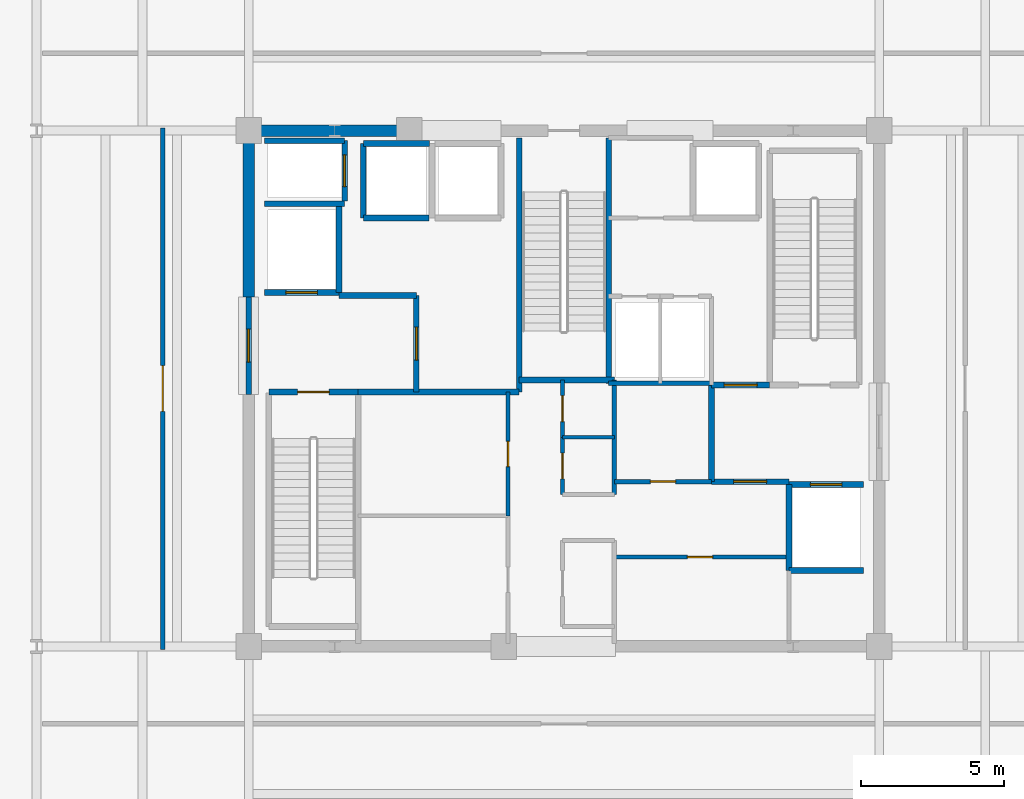
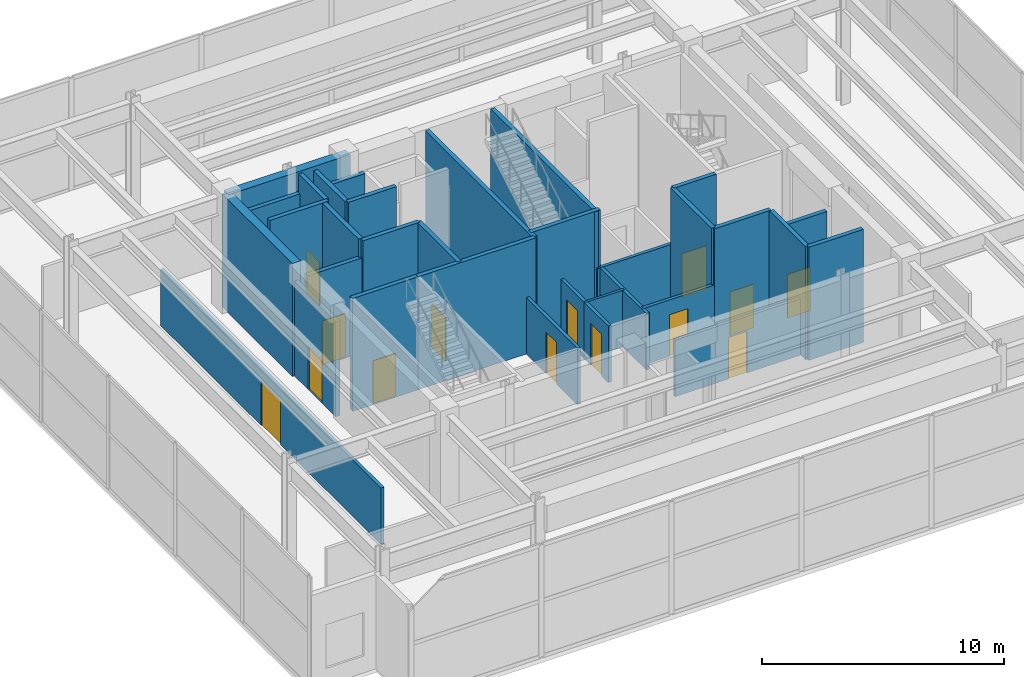
# One storey, part 18 of 21: 33 walls, 14 doors, 14 openings.
"""IFC4 building model written with IfcOpenShell, lengths in metres."""

import ifcopenshell
import ifcopenshell.guid

model = None  # the IFC model being written
_history = None  # IfcOwnerHistory: only IFC2X3 demands one
_inside = {}  # id of a spatial element -> (the spatial element, [elements in it])
_under = {}  # id of a project, library or spatial element -> (it, [spatial elements below it])
_declared = {}  # id of a project -> (the project, [libraries it declares])
_typed = {}  # id of a type object -> (the type object, [elements of that type])
_made_of = {}  # id of a material, layer set ... -> (it, [elements and type objects made of it])


def new_model(schema):
    """Start an empty IFC model of exactly this schema.

    Asked for "IFC4X3", IfcOpenShell would pick the latest addendum, in which some entities
    have other attributes; the version numbers below select the first issue.
    IFC2X3 requires an IfcOwnerHistory on every rooted entity: one is made here for all.
    """
    global model, _history
    if schema == "IFC4X3":
        model = ifcopenshell.file(schema_version=(4, 3, 0, 0))
    else:
        model = ifcopenshell.file(schema=schema)
    _inside.clear()
    _under.clear()
    _declared.clear()
    _typed.clear()
    _made_of.clear()
    _history = None
    if model.schema == "IFC2X3":
        org = make("IfcOrganization", Name="unknown")
        user = make(
            "IfcPersonAndOrganization",
            ThePerson=make("IfcPerson", FamilyName="unknown"),
            TheOrganization=org,
        )
        app = make(
            "IfcApplication",
            ApplicationDeveloper=org,
            Version="unknown",
            ApplicationFullName="unknown",
            ApplicationIdentifier="unknown",
        )
        _history = make(
            "IfcOwnerHistory",
            OwningUser=user,
            OwningApplication=app,
            ChangeAction="ADDED",
            CreationDate=0,
        )
    return model


def make(cls, **values):
    """One entity of the class cls with the attributes given. An attribute that is None is left unset."""
    return model.create_entity(
        cls, **{name: value for name, value in values.items() if value is not None}
    )


def rooted(cls, **values):
    """An entity with a GlobalId (a new one), such as an element, a storey or a relation."""
    return make(cls, GlobalId=ifcopenshell.guid.new(), OwnerHistory=_history, **values)


def si_unit(unit_type, name, prefix=None):
    """IfcSIUnit, for example si_unit("LENGTHUNIT", "METRE", prefix="MILLI")."""
    return make("IfcSIUnit", UnitType=unit_type, Prefix=prefix, Name=name)


def assignment(units):
    """IfcUnitAssignment: the units of a project."""
    return None if units is None else make("IfcUnitAssignment", Units=units)


def point(xyz):
    """IfcCartesianPoint."""
    return None if xyz is None else make("IfcCartesianPoint", Coordinates=xyz)


def direction(xyz):
    """IfcDirection."""
    return None if xyz is None else make("IfcDirection", DirectionRatios=xyz)


def frame(location, z_axis=None, x_axis=None):
    """IfcAxis2Placement3D, a coordinate frame: its origin and axes. An axis left out is left unset."""
    return make(
        "IfcAxis2Placement3D",
        Location=point(location),
        Axis=direction(z_axis),
        RefDirection=direction(x_axis),
    )


def frame_2d(location, x_axis=None):
    """IfcAxis2Placement2D, a coordinate frame in the plane: its origin and x axis."""
    return make(
        "IfcAxis2Placement2D", Location=point(location), RefDirection=direction(x_axis)
    )


def origin():
    """The frame at (0, 0, 0) with its axes left unset."""
    return frame((0.0, 0.0, 0.0))


def place(relative_to, where):
    """IfcLocalPlacement: puts the frame where relative to a parent placement (None: the world)."""
    return make(
        "IfcLocalPlacement", PlacementRelTo=relative_to, RelativePlacement=where
    )


def context(
    kind, dimensions, precision=None, world=None, true_north=None, identifier=None
):
    """IfcGeometricRepresentationContext, for example the 3D "Model" context."""
    return make(
        "IfcGeometricRepresentationContext",
        ContextIdentifier=identifier,
        ContextType=kind,
        CoordinateSpaceDimension=dimensions,
        Precision=precision,
        WorldCoordinateSystem=world,
        TrueNorth=true_north,
    )


def subcontext(parent, identifier, kind, view, scale=None):
    """IfcGeometricRepresentationSubContext, for example "Body" below "Model"."""
    return make(
        "IfcGeometricRepresentationSubContext",
        ContextIdentifier=identifier,
        ContextType=kind,
        ParentContext=parent,
        TargetScale=scale,
        TargetView=view,
    )


def project(units=None, contexts=None):
    """IfcProject with its units and contexts."""
    return rooted(
        "IfcProject",
        Name="project",
        RepresentationContexts=contexts,
        UnitsInContext=assignment(units),
    )


def spatial(cls, under=None, at=None, **own):
    """A site, building, storey or space (cls), placed at a placement, below another one or the project."""
    s = rooted(cls, ObjectPlacement=at, **own)
    if under is not None:
        _under.setdefault(under.id(), (under, []))[1].append(s)
    return s


def profile(cls, at=None, kind="AREA", **sizes):
    """A parametric profile (cls). Its sizes go by their IFC names, for example OverallWidth=200.0."""
    return make(cls, ProfileType=kind, Position=at, **sizes)


def rectangle(**sizes):
    """IfcRectangleProfileDef."""
    return profile("IfcRectangleProfileDef", **sizes)


def extrude(swept, where, along, depth):
    """IfcExtrudedAreaSolid: the profile swept, set in the frame where, extruded along a direction by depth."""
    return make(
        "IfcExtrudedAreaSolid",
        SweptArea=swept,
        Position=where,
        ExtrudedDirection=direction(along),
        Depth=depth,
    )


def shape(context_of_items, identifier, shape_type, items):
    """IfcShapeRepresentation: the items that make up one representation, for example the "Body"."""
    return make(
        "IfcShapeRepresentation",
        ContextOfItems=context_of_items,
        RepresentationIdentifier=identifier,
        RepresentationType=shape_type,
        Items=items,
    )


def material(Name=None, Category=None):
    """IfcMaterial."""
    return make("IfcMaterial", Name=Name, Category=Category)


def layer(
    of_material, thickness, ventilated=None, Name=None, Category=None, Priority=None
):
    """IfcMaterialLayer: one layer of a wall or slab, of a material (None: an air gap)."""
    return make(
        "IfcMaterialLayer",
        Material=of_material,
        LayerThickness=thickness,
        IsVentilated=ventilated,
        Name=Name,
        Category=Category,
        Priority=Priority,
    )


def layer_set(layers, Name=None):
    """IfcMaterialLayerSet."""
    return make("IfcMaterialLayerSet", MaterialLayers=layers, LayerSetName=Name)


def made_of(thing, what):
    """Note that an element or type object is made of a material, layer set ...; save() writes the relation."""
    if what is not None:
        _made_of.setdefault(what.id(), (what, []))[1].append(thing)
    return thing


def type_object(cls, material=None, **own):
    """A type object (cls), such as IfcWallType, which elements share."""
    return made_of(rooted(cls, **own), material)


def element(
    cls,
    number,
    at=None,
    inside=None,
    cuts=None,
    type_object=None,
    material=None,
    context=None,
    identifier="Body",
    shape_type=None,
    held_by="IfcProductDefinitionShape",
    body=None,
    shapes=None,
    **own,
):
    """One element of the class cls, such as IfcWall. Its Tag is "e" and its number.

    at: its placement. inside: the storey or other place that contains it. cuts: it is an
    opening in that element (IfcRelVoidsElement). A single representation is given by context,
    identifier, shape_type and body (its items); several are given by shapes. held_by: the class
    of the entity that holds the representations. save() writes the other relations.
    """
    e = rooted(cls, Tag="e%d" % number, ObjectPlacement=at, **own)
    if body is not None:
        shapes = [shape(context, identifier, shape_type, body)]
    if shapes is not None:
        e.Representation = make(held_by, Representations=shapes)
    if inside is not None:
        _inside.setdefault(inside.id(), (inside, []))[1].append(e)
    if cuts is not None:
        rooted(
            "IfcRelVoidsElement", RelatingBuildingElement=cuts, RelatedOpeningElement=e
        )
    if type_object is not None:
        _typed.setdefault(type_object.id(), (type_object, []))[1].append(e)
    return made_of(e, material)


def fill(opening, filler):
    """IfcRelFillsElement: the door or window that sits in an opening."""
    return rooted(
        "IfcRelFillsElement",
        RelatingOpeningElement=opening,
        RelatedBuildingElement=filler,
    )


def aggregate(whole, parts):
    """IfcRelAggregates: a whole, such as a stair, and the parts it consists of."""
    return rooted("IfcRelAggregates", RelatingObject=whole, RelatedObjects=parts)


def save(model, path):
    """Write the relations noted so far, then the file.

    IfcRelAggregates (storeys below a building ...), IfcRelContainedInSpatialStructure (elements
    in a storey), IfcRelDefinesByType, IfcRelAssociatesMaterial and IfcRelDeclares: one each for
    every whole, place, type object, material and project.
    """
    for whole, parts in _under.values():
        aggregate(whole, parts)
    for where, things in _inside.values():
        rooted(
            "IfcRelContainedInSpatialStructure",
            RelatedElements=things,
            RelatingStructure=where,
        )
    for kind, things in _typed.values():
        rooted("IfcRelDefinesByType", RelatedObjects=things, RelatingType=kind)
    for what, things in _made_of.values():
        rooted("IfcRelAssociatesMaterial", RelatedObjects=things, RelatingMaterial=what)
    for by, libraries in _declared.values():
        rooted("IfcRelDeclares", RelatingContext=by, RelatedDefinitions=libraries)
    model.write(path)


model = new_model("IFC4")

# Units and contexts
model_context = context("Model", 3, precision=1e-05, world=origin(), true_north=direction((0.0, 1.0)))
body_context = subcontext(model_context, "Body", "Model", "MODEL_VIEW")
ifc_project = project(units=[si_unit("LENGTHUNIT", "METRE"), si_unit("AREAUNIT", "SQUARE_METRE"), si_unit("VOLUMEUNIT", "CUBIC_METRE"), si_unit("PLANEANGLEUNIT", "RADIAN"), si_unit("MASSUNIT", "GRAM", prefix="KILO")], contexts=[model_context])

# Site, building, storey
site_placement = place(None, origin())
site = spatial("IfcSite", under=ifc_project, at=site_placement, CompositionType="ELEMENT")
building_placement = place(site_placement, origin())
building = spatial("IfcBuilding", under=site, at=building_placement, Name="Kovane Verandah Tower", CompositionType="ELEMENT")
storey_placement = place(building_placement, frame((0.0, 0.0, 342.800048828125)))
storey = spatial("IfcBuildingStorey", under=building, at=storey_placement, Name="L80", CompositionType="ELEMENT", Elevation=342.800048828125)

# Wall
ifc_material_1 = material(Name="Fire-Rated Gypsum Stud Partition", Category="gypsum")
ifc_layer_1 = layer(ifc_material_1, 0.14990234375)
ifc_layer_set_1 = layer_set([ifc_layer_1], Name="Fire-Rated Gypsum Stud Partition")
wall_type_1 = type_object("IfcWallType", Name="WL-COR-150", PredefinedType="PARTITIONING", material=ifc_layer_set_1)
wall_1_placement = place(storey_placement, frame((41.760009765625, 23.800048828125, 0.0), z_axis=(0.0, 0.0, 1.0), x_axis=(0.0, 1.0, 0.0)))
element("IfcWall", 1, at=wall_1_placement, inside=storey, type_object=wall_type_1, Name="L80 Central Core Strip Upper East Wall", PredefinedType="PARTITIONING", context=body_context, shape_type="SweptSolid", body=[
    extrude(rectangle(XDim=4.0, YDim=0.14990234375, at=frame_2d((2.0, 0.0))), origin(), (0.0, 0.0, 1.0), 2.849853515625),
])

# Wall, opening, door
wall_2_placement = place(storey_placement, frame((39.949951171875, 23.800048828125, 0.0), z_axis=(0.0, 0.0, 1.0), x_axis=(0.0, 1.0, 0.0)))
wall_2 = element("IfcWall", 2, at=wall_2_placement, inside=storey, type_object=wall_type_1, Name="L80 Female Toilet Partition", PredefinedType="PARTITIONING", context=body_context, shape_type="SweptSolid", body=[
    extrude(rectangle(XDim=2.0, YDim=0.14990234375, at=frame_2d((1.0, 0.0))), origin(), (0.0, 0.0, 1.0), 2.849853515625),
])
opening_1_placement = place(wall_2_placement, frame((0.550048828125, 0.0, 0.0)))
opening_1 = element("IfcOpeningElement", 3, at=opening_1_placement, cuts=wall_2, Name="Opening DR-L80-021", PredefinedType="OPENING", context=body_context, shape_type="SweptSolid", body=[
    extrude(rectangle(XDim=0.89990234375, YDim=2.10009765625, at=frame_2d((0.449951171875, 1.050048828125))), frame((0.0, 0.074951171875, 0.0), z_axis=(0.0, -1.0, 0.0), x_axis=(1.0, 0.0, 0.0)), (0.0, 0.0, 1.0), 0.14990234375),
])
ifc_material_2 = material(Name="Moisture-Resistant Laminate Washroom Door", Category="wood")
door_type_1 = type_object("IfcDoorType", Name="DR-WC-900", OperationType="SINGLE_SWING_LEFT", PredefinedType="DOOR", material=ifc_material_2)
door_1_placement = place(opening_1_placement, origin())
door_1 = element("IfcDoor", 4, at=door_1_placement, inside=storey, type_object=door_type_1, Name="L80 Female Toilet Door", OperationType="SINGLE_SWING_LEFT", OverallHeight=2.10009765625, OverallWidth=0.89990234375, PredefinedType="DOOR", context=body_context, shape_type="SweptSolid", body=[
    extrude(rectangle(XDim=0.89990234375, YDim=2.10009765625, at=frame_2d((0.449951171875, 1.050048828125))), frame((0.0, 0.02490234375, 0.0), z_axis=(0.0, -1.0, 0.0), x_axis=(1.0, 0.0, 0.0)), (0.0, 0.0, 1.0), 0.050048828125),
])
fill(opening_1, door_1)

wall_3_placement = place(storey_placement, frame((39.949951171875, 25.800048828125, 0.0), z_axis=(0.0, 0.0, 1.0), x_axis=(0.0, 1.0, 0.0)))
wall_3 = element("IfcWall", 5, at=wall_3_placement, inside=storey, type_object=wall_type_1, Name="L80 Accessible Unisex Toilet Partition", PredefinedType="PARTITIONING", context=body_context, shape_type="SweptSolid", body=[
    extrude(rectangle(XDim=2.0, YDim=0.14990234375, at=frame_2d((1.0, 0.0))), origin(), (0.0, 0.0, 1.0), 2.849853515625),
])
opening_2_placement = place(wall_3_placement, frame((0.550048828125, 0.0, 0.0)))
opening_2 = element("IfcOpeningElement", 6, at=opening_2_placement, cuts=wall_3, Name="Opening DR-L80-020", PredefinedType="OPENING", context=body_context, shape_type="SweptSolid", body=[
    extrude(rectangle(XDim=0.89990234375, YDim=2.10009765625, at=frame_2d((0.449951171875, 1.050048828125))), frame((0.0, 0.074951171875, 0.0), z_axis=(0.0, -1.0, 0.0), x_axis=(1.0, 0.0, 0.0)), (0.0, 0.0, 1.0), 0.14990234375),
])
door_2_placement = place(opening_2_placement, origin())
door_2 = element("IfcDoor", 7, at=door_2_placement, inside=storey, type_object=door_type_1, Name="L80 Accessible Unisex Toilet Door", OperationType="SINGLE_SWING_RIGHT", OverallHeight=2.10009765625, OverallWidth=0.89990234375, PredefinedType="DOOR", context=body_context, shape_type="SweptSolid", body=[
    extrude(rectangle(XDim=0.89990234375, YDim=2.10009765625, at=frame_2d((0.449951171875, 1.050048828125))), frame((0.0, 0.02490234375, 0.0), z_axis=(0.0, -1.0, 0.0), x_axis=(1.0, 0.0, 0.0)), (0.0, 0.0, 1.0), 0.050048828125),
])
fill(opening_2, door_2)

wall_4_placement = place(storey_placement, frame((38.050048828125, 23.06005859375, 0.0), z_axis=(0.0, 0.0, 1.0), x_axis=(0.0, 1.0, 0.0)))
wall_4 = element("IfcWall", 8, at=wall_4_placement, inside=storey, type_object=wall_type_1, Name="L80 Core Electrical Switchgear Plant Room Partition", PredefinedType="PARTITIONING", context=body_context, shape_type="SweptSolid", body=[
    extrude(rectangle(XDim=4.31982421875, YDim=0.14990234375, at=frame_2d((2.159912109375, 0.0))), origin(), (0.0, 0.0, 1.0), 2.849853515625),
])
opening_3_placement = place(wall_4_placement, frame((1.719970703125, 0.0, 0.0)))
opening_3 = element("IfcOpeningElement", 9, at=opening_3_placement, cuts=wall_4, Name="Opening DR-L80-010", PredefinedType="OPENING", context=body_context, shape_type="SweptSolid", body=[
    extrude(rectangle(XDim=0.8798828125, YDim=2.10009765625, at=frame_2d((0.43994140625, 1.050048828125))), frame((0.0, 0.074951171875, 0.0), z_axis=(0.0, -1.0, 0.0), x_axis=(1.0, 0.0, 0.0)), (0.0, 0.0, 1.0), 0.14990234375),
])
ifc_material_3 = material(Name="Fire-Rated Steel Riser Access Door", Category="steel")
door_type_2 = type_object("IfcDoorType", Name="DR-RISER-880", OperationType="SINGLE_SWING_LEFT", PredefinedType="DOOR", material=ifc_material_3)
door_3_placement = place(opening_3_placement, origin())
door_3 = element("IfcDoor", 10, at=door_3_placement, inside=storey, type_object=door_type_2, Name="L80 Core Electrical Switchgear Plant Room Door", OperationType="SINGLE_SWING_RIGHT", OverallHeight=2.10009765625, OverallWidth=0.8798828125, PredefinedType="DOOR", context=body_context, shape_type="SweptSolid", body=[
    extrude(rectangle(XDim=0.8798828125, YDim=2.10009765625, at=frame_2d((0.43994140625, 1.050048828125))), frame((0.0, 0.02490234375, 0.0), z_axis=(0.0, -1.0, 0.0), x_axis=(1.0, 0.0, 0.0)), (0.0, 0.0, 1.0), 0.050048828125),
])
fill(opening_3, door_3)

# Wall
wall_5_placement = place(storey_placement, frame((41.56005859375, 27.679931640625, 0.0), z_axis=(0.0, 0.0, 1.0), x_axis=(1.0, 0.0, 0.0)))
element("IfcWall", 11, at=wall_5_placement, inside=storey, type_object=wall_type_1, Name="L80 East Core Service Riser South Wall", PredefinedType="PARTITIONING", context=body_context, shape_type="SweptSolid", body=[
    extrude(rectangle(XDim=3.58984375, YDim=0.14990234375, at=frame_2d((1.794921875, 0.0))), origin(), (0.0, 0.0, 1.0), 2.849853515625),
])

# Wall, opening, door
wall_6_placement = place(storey_placement, frame((41.760009765625, 21.6201171875, 0.0), z_axis=(0.0, 0.0, 1.0), x_axis=(1.0, 0.0, 0.0)))
wall_6 = element("IfcWall", 12, at=wall_6_placement, inside=storey, type_object=wall_type_1, Name="L80 Core Smoke Extract Fan Plant Room Partition", PredefinedType="PARTITIONING", context=body_context, shape_type="SweptSolid", body=[
    extrude(rectangle(XDim=5.97998046875, YDim=0.14990234375, at=frame_2d((2.989990234375, 0.0))), origin(), (0.0, 0.0, 1.0), 2.849853515625),
])
opening_4_placement = place(wall_6_placement, frame((2.550048828125, 0.0, 0.0)))
opening_4 = element("IfcOpeningElement", 13, at=opening_4_placement, cuts=wall_6, Name="Opening DR-L80-011", PredefinedType="OPENING", context=body_context, shape_type="SweptSolid", body=[
    extrude(rectangle(XDim=0.8798828125, YDim=2.10009765625, at=frame_2d((0.43994140625, 1.050048828125))), frame((0.0, 0.074951171875, 0.0), z_axis=(0.0, -1.0, 0.0), x_axis=(1.0, 0.0, 0.0)), (0.0, 0.0, 1.0), 0.14990234375),
])
door_4_placement = place(opening_4_placement, origin())
door_4 = element("IfcDoor", 14, at=door_4_placement, inside=storey, type_object=door_type_2, Name="L80 Core Smoke Extract Fan Plant Room Door", OperationType="SINGLE_SWING_LEFT", OverallHeight=2.10009765625, OverallWidth=0.8798828125, PredefinedType="DOOR", context=body_context, shape_type="SweptSolid", body=[
    extrude(rectangle(XDim=0.8798828125, YDim=2.10009765625, at=frame_2d((0.43994140625, 1.050048828125))), frame((0.0, 0.02490234375, 0.0), z_axis=(0.0, -1.0, 0.0), x_axis=(1.0, 0.0, 0.0)), (0.0, 0.0, 1.0), 0.050048828125),
])
fill(opening_4, door_4)

wall_7_placement = place(storey_placement, frame((41.760009765625, 24.25, 0.0), z_axis=(0.0, 0.0, 1.0), x_axis=(1.0, 0.0, 0.0)))
wall_7 = element("IfcWall", 15, at=wall_7_placement, inside=storey, type_object=wall_type_1, Name="L80 Cleaner Store Partition", PredefinedType="PARTITIONING", context=body_context, shape_type="SweptSolid", body=[
    extrude(rectangle(XDim=3.389892578125, YDim=0.14990234375, at=frame_2d((1.69482421875, 0.0))), origin(), (0.0, 0.0, 1.0), 2.849853515625),
])
opening_5_placement = place(wall_7_placement, frame((1.2548828125, 0.0, 0.0)))
opening_5 = element("IfcOpeningElement", 16, at=opening_5_placement, cuts=wall_7, Name="Opening DR-L80-012", PredefinedType="OPENING", context=body_context, shape_type="SweptSolid", body=[
    extrude(rectangle(XDim=0.8798828125, YDim=2.10009765625, at=frame_2d((0.43994140625, 1.050048828125))), frame((0.0, 0.074951171875, 0.0), z_axis=(0.0, -1.0, 0.0), x_axis=(1.0, 0.0, 0.0)), (0.0, 0.0, 1.0), 0.14990234375),
])
door_5_placement = place(opening_5_placement, origin())
door_5 = element("IfcDoor", 17, at=door_5_placement, inside=storey, type_object=door_type_2, Name="L80 Cleaner Store Door", OperationType="SINGLE_SWING_RIGHT", OverallHeight=2.10009765625, OverallWidth=0.8798828125, PredefinedType="DOOR", context=body_context, shape_type="SweptSolid", body=[
    extrude(rectangle(XDim=0.8798828125, YDim=2.10009765625, at=frame_2d((0.43994140625, 1.050048828125))), frame((0.0, 0.02490234375, 0.0), z_axis=(0.0, -1.0, 0.0), x_axis=(1.0, 0.0, 0.0)), (0.0, 0.0, 1.0), 0.050048828125),
])
fill(opening_5, door_5)

wall_8_placement = place(storey_placement, frame((26.0, 18.39990234375, 0.0), z_axis=(0.0, 0.0, 1.0), x_axis=(0.0, 1.0, 0.0)))
wall_8 = element("IfcWall", 18, at=wall_8_placement, inside=storey, type_object=wall_type_1, Name="L80 Damper Hydraulic Control Plant Room Corridor Partition", PredefinedType="PARTITIONING", context=body_context, shape_type="SweptSolid", body=[
    extrude(rectangle(XDim=18.2001953125, YDim=0.14990234375, at=frame_2d((9.10009765625, 0.0))), origin(), (0.0, 0.0, 1.0), 2.849853515625),
])
opening_6_placement = place(wall_8_placement, frame((8.300048828125, 0.0, 0.0)))
opening_6 = element("IfcOpeningElement", 19, at=opening_6_placement, cuts=wall_8, Name="Opening DR-L80-014", PredefinedType="OPENING", context=body_context, shape_type="SweptSolid", body=[
    extrude(rectangle(XDim=1.60009765625, YDim=2.25, at=frame_2d((0.800048828125, 1.125))), frame((0.0, 0.074951171875, 0.0), z_axis=(0.0, -1.0, 0.0), x_axis=(1.0, 0.0, 0.0)), (0.0, 0.0, 1.0), 0.14990234375),
])
ifc_material_4 = material(Name="Louvred Acoustic Steel Double Plant Door", Category="steel")
door_type_3 = type_object("IfcDoorType", Name="DR-PLANT-1600", OperationType="DOUBLE_DOOR_SINGLE_SWING", PredefinedType="DOOR", material=ifc_material_4)
door_6_placement = place(opening_6_placement, origin())
door_6 = element("IfcDoor", 20, at=door_6_placement, inside=storey, type_object=door_type_3, Name="L80 Damper Hydraulic Control Plant Room Entrance Door", OperationType="DOUBLE_DOOR_SINGLE_SWING", OverallHeight=2.25, OverallWidth=1.60009765625, PredefinedType="DOOR", context=body_context, shape_type="SweptSolid", body=[
    extrude(rectangle(XDim=1.60009765625, YDim=2.25, at=frame_2d((0.800048828125, 1.125))), frame((0.0, 0.02490234375, 0.0), z_axis=(0.0, -1.0, 0.0), x_axis=(1.0, 0.0, 0.0)), (0.0, 0.0, 1.0), 0.050048828125),
])
fill(opening_6, door_6)

# Walls
ifc_material_5 = material(Name="Concrete C60/75", Category="concrete")
ifc_layer_2 = layer(ifc_material_5, 0.39990234375)
ifc_layer_set_2 = layer_set([ifc_layer_2], Name="Concrete C60/75")
wall_type_2 = type_object("IfcWallType", Name="WL-CORE-400", PredefinedType="SHEAR", material=ifc_layer_set_2)
for number, where, z_axis, x_axis, name in (
    (21, (29.0, 36.5, 0.0), (0.0, 0.0, 1.0), (1.0, 0.0, 0.0), "L80 Core Shear Wall CN-1"),
    (22, (29.0, 30.699951171875, 0.0), (0.0, 0.0, 1.0), (0.0, 1.0, 0.0), "L80 Core Shear Wall CW-2"),
):
    element("IfcWall", number, at=place(storey_placement, frame(where, z_axis=z_axis, x_axis=x_axis)), inside=storey, type_object=wall_type_2, Name=name, PredefinedType="SHEAR", context=body_context, shape_type="SweptSolid", body=[
        extrude(rectangle(XDim=5.800048828125, YDim=0.39990234375, at=frame_2d((2.89990234375, 0.0))), origin(), (0.0, 0.0, 1.0), 5.699951171875),
    ])

# Wall, opening, door
ifc_material_6 = material(Name="Concrete C45/55 Fire Wall", Category="concrete")
ifc_layer_3 = layer(ifc_material_6, 0.199951171875)
ifc_layer_set_3 = layer_set([ifc_layer_3], Name="Concrete C45/55 Fire Wall")
wall_type_3 = type_object("IfcWallType", Name="WL-FFL-200", PredefinedType="PARTITIONING", material=ifc_layer_set_3)
wall_9_placement = place(storey_placement, frame((34.85009765625, 27.3798828125, 0.0), z_axis=(0.0, 0.0, 1.0), x_axis=(0.0, 1.0, 0.0)))
wall_9 = element("IfcWall", 23, at=wall_9_placement, inside=storey, type_object=wall_type_3, Name="W-L80-FFLW-E", PredefinedType="PARTITIONING", context=body_context, shape_type="SweptSolid", body=[
    extrude(rectangle(XDim=3.3701171875, YDim=0.199951171875, at=frame_2d((1.68505859375, 0.0))), origin(), (0.0, 0.0, 1.0), 5.699951171875),
])
opening_7_placement = place(wall_9_placement, frame((1.110107421875, 0.0, 0.0)))
opening_7 = element("IfcOpeningElement", 24, at=opening_7_placement, cuts=wall_9, Name="Opening DR-L80-004", PredefinedType="OPENING", context=body_context, shape_type="SweptSolid", body=[
    extrude(rectangle(XDim=1.14990234375, YDim=2.199951171875, at=frame_2d((0.574951171875, 1.10009765625))), frame((0.0, 0.10009765625, 0.0), z_axis=(0.0, -1.0, 0.0), x_axis=(1.0, 0.0, 0.0)), (0.0, 0.0, 1.0), 0.199951171875),
])
ifc_material_7 = material(Name="Smoke-Sealed Firefighting Lobby Door", Category="steel")
door_type_4 = type_object("IfcDoorType", Name="DR-FFL-1150", OperationType="SINGLE_SWING_LEFT", PredefinedType="DOOR", material=ifc_material_7)
door_7_placement = place(opening_7_placement, origin())
door_7 = element("IfcDoor", 25, at=door_7_placement, inside=storey, type_object=door_type_4, Name="L80 West Firefighting Lobby Inner Door", OperationType="SINGLE_SWING_LEFT", OverallHeight=2.199951171875, OverallWidth=1.14990234375, PredefinedType="DOOR", context=body_context, shape_type="SweptSolid", body=[
    extrude(rectangle(XDim=1.14990234375, YDim=2.199951171875, at=frame_2d((0.574951171875, 1.10009765625))), frame((0.0, 0.02490234375, 0.0), z_axis=(0.0, -1.0, 0.0), x_axis=(1.0, 0.0, 0.0)), (0.0, 0.0, 1.0), 0.050048828125),
])
fill(opening_7, door_7)

wall_10_placement = place(storey_placement, frame((29.0, 27.300048828125, 0.0), z_axis=(0.0, 0.0, 1.0), x_axis=(0.0, 1.0, 0.0)))
wall_10 = element("IfcWall", 26, at=wall_10_placement, inside=storey, type_object=wall_type_3, Name="W-L80-FFLW-OUT", PredefinedType="PARTITIONING", context=body_context, shape_type="SweptSolid", body=[
    extrude(rectangle(XDim=3.39990234375, YDim=0.199951171875, at=frame_2d((1.699951171875, 0.0))), origin(), (0.0, 0.0, 1.0), 4.780029296875),
])
opening_8_placement = place(wall_10_placement, frame((1.125, 0.0, 0.0)))
opening_8 = element("IfcOpeningElement", 27, at=opening_8_placement, cuts=wall_10, Name="Opening DR-L80-005", PredefinedType="OPENING", context=body_context, shape_type="SweptSolid", body=[
    extrude(rectangle(XDim=1.14990234375, YDim=2.199951171875, at=frame_2d((0.574951171875, 1.10009765625))), frame((0.0, 0.10009765625, 0.0), z_axis=(0.0, -1.0, 0.0), x_axis=(1.0, 0.0, 0.0)), (0.0, 0.0, 1.0), 0.199951171875),
])
door_8_placement = place(opening_8_placement, origin())
door_8 = element("IfcDoor", 28, at=door_8_placement, inside=storey, type_object=door_type_4, Name="L80 West Firefighting Lobby Corridor Door", OperationType="SINGLE_SWING_RIGHT", OverallHeight=2.199951171875, OverallWidth=1.14990234375, PredefinedType="DOOR", context=body_context, shape_type="SweptSolid", body=[
    extrude(rectangle(XDim=1.14990234375, YDim=2.199951171875, at=frame_2d((0.574951171875, 1.10009765625))), frame((0.0, 0.02490234375, 0.0), z_axis=(0.0, -1.0, 0.0), x_axis=(1.0, 0.0, 0.0)), (0.0, 0.0, 1.0), 0.050048828125),
])
fill(opening_8, door_8)

# Walls
wall_11_placement = place(storey_placement, frame((32.820068359375, 27.3798828125, 0.0), z_axis=(0.0, 0.0, 1.0), x_axis=(1.0, 0.0, 0.0)))
element("IfcWall", 29, at=wall_11_placement, inside=storey, type_object=wall_type_3, Name="L80 West Firefighting Lobby South Fire Wall", PredefinedType="PARTITIONING", context=body_context, shape_type="SweptSolid", body=[
    extrude(rectangle(XDim=5.619873046875, YDim=0.199951171875, at=frame_2d((2.81005859375, 0.0))), origin(), (0.0, 0.0, 1.0), 5.699951171875),
])
wall_12_placement = place(storey_placement, frame((32.14990234375, 30.75, 0.0), z_axis=(0.0, 0.0, 1.0), x_axis=(1.0, 0.0, 0.0)))
element("IfcWall", 30, at=wall_12_placement, inside=storey, type_object=wall_type_3, Name="L80 West Firefighting Lobby North Fire Wall", PredefinedType="PARTITIONING", context=body_context, shape_type="SweptSolid", body=[
    extrude(rectangle(XDim=2.7001953125, YDim=0.199951171875, at=frame_2d((1.35009765625, 0.0))), origin(), (0.0, 0.0, 1.0), 5.699951171875),
])
wall_13_placement = place(storey_placement, frame((45.14990234375, 24.25, 0.0), z_axis=(0.0, 0.0, 1.0), x_axis=(0.0, 1.0, 0.0)))
element("IfcWall", 31, at=wall_13_placement, inside=storey, type_object=wall_type_3, Name="L80 East Firefighting Lobby West Fire Wall", PredefinedType="PARTITIONING", context=body_context, shape_type="SweptSolid", body=[
    extrude(rectangle(XDim=3.3701171875, YDim=0.199951171875, at=frame_2d((1.68505859375, 0.0))), origin(), (0.0, 0.0, 1.0), 5.699951171875),
])

# Wall, opening, door
wall_14_placement = place(storey_placement, frame((45.14990234375, 24.25, 0.0), z_axis=(0.0, 0.0, 1.0), x_axis=(1.0, 0.0, 0.0)))
wall_14 = element("IfcWall", 32, at=wall_14_placement, inside=storey, type_object=wall_type_3, Name="W-L80-FFLE-S", PredefinedType="PARTITIONING", context=body_context, shape_type="SweptSolid", body=[
    extrude(rectangle(XDim=2.7001953125, YDim=0.199951171875, at=frame_2d((1.35009765625, 0.0))), origin(), (0.0, 0.0, 1.0), 5.699951171875),
])
opening_9_placement = place(wall_14_placement, frame((0.77490234375, 0.0, 0.0)))
opening_9 = element("IfcOpeningElement", 33, at=opening_9_placement, cuts=wall_14, Name="Opening DR-L80-001", PredefinedType="OPENING", context=body_context, shape_type="SweptSolid", body=[
    extrude(rectangle(XDim=1.14990234375, YDim=2.199951171875, at=frame_2d((0.574951171875, 1.10009765625))), frame((0.0, 0.10009765625, 0.0), z_axis=(0.0, -1.0, 0.0), x_axis=(1.0, 0.0, 0.0)), (0.0, 0.0, 1.0), 0.199951171875),
])
door_9_placement = place(opening_9_placement, origin())
door_9 = element("IfcDoor", 34, at=door_9_placement, inside=storey, type_object=door_type_4, Name="L80 East Firefighting Lobby Inner Door", OperationType="SINGLE_SWING_RIGHT", OverallHeight=2.199951171875, OverallWidth=1.14990234375, PredefinedType="DOOR", context=body_context, shape_type="SweptSolid", body=[
    extrude(rectangle(XDim=1.14990234375, YDim=2.199951171875, at=frame_2d((0.574951171875, 1.10009765625))), frame((0.0, 0.02490234375, 0.0), z_axis=(0.0, -1.0, 0.0), x_axis=(1.0, 0.0, 0.0)), (0.0, 0.0, 1.0), 0.050048828125),
])
fill(opening_9, door_9)

wall_15_placement = place(storey_placement, frame((45.14990234375, 27.6201171875, 0.0), z_axis=(0.0, 0.0, 1.0), x_axis=(1.0, 0.0, 0.0)))
wall_15 = element("IfcWall", 35, at=wall_15_placement, inside=storey, type_object=wall_type_3, Name="W-L80-FFLE-N", PredefinedType="PARTITIONING", context=body_context, shape_type="SweptSolid", body=[
    extrude(rectangle(XDim=2.030029296875, YDim=0.199951171875, at=frame_2d((1.01513671875, 0.0))), origin(), (0.0, 0.0, 1.0), 5.699951171875),
])
opening_10_placement = place(wall_15_placement, frame((0.43994140625, 0.0, 0.0)))
opening_10 = element("IfcOpeningElement", 36, at=opening_10_placement, cuts=wall_15, Name="Opening DR-L80-002", PredefinedType="OPENING", context=body_context, shape_type="SweptSolid", body=[
    extrude(rectangle(XDim=1.14990234375, YDim=2.199951171875, at=frame_2d((0.574951171875, 1.10009765625))), frame((0.0, 0.10009765625, 0.0), z_axis=(0.0, -1.0, 0.0), x_axis=(1.0, 0.0, 0.0)), (0.0, 0.0, 1.0), 0.199951171875),
])
door_10_placement = place(opening_10_placement, origin())
door_10 = element("IfcDoor", 37, at=door_10_placement, inside=storey, type_object=door_type_4, Name="L80 East Firefighting Lobby Shuttle Link Door", OperationType="SINGLE_SWING_LEFT", OverallHeight=2.199951171875, OverallWidth=1.14990234375, PredefinedType="DOOR", context=body_context, shape_type="SweptSolid", body=[
    extrude(rectangle(XDim=1.14990234375, YDim=2.199951171875, at=frame_2d((0.574951171875, 1.10009765625))), frame((0.0, 0.02490234375, 0.0), z_axis=(0.0, -1.0, 0.0), x_axis=(1.0, 0.0, 0.0)), (0.0, 0.0, 1.0), 0.050048828125),
])
fill(opening_10, door_10)

ifc_material_8 = material(Name="Concrete C45/55 Lift Shaft Wall", Category="concrete")
ifc_layer_4 = layer(ifc_material_8, 0.199951171875)
ifc_layer_set_4 = layer_set([ifc_layer_4], Name="Concrete C45/55 Lift Shaft Wall")
wall_type_4 = type_object("IfcWallType", Name="WL-LIFT-200", PredefinedType="SOLIDWALL", material=ifc_layer_set_4)
wall_16_placement = place(storey_placement, frame((29.550048828125, 30.85009765625, 0.0), z_axis=(0.0, 0.0, 1.0), x_axis=(1.0, 0.0, 0.0)))
wall_16 = element("IfcWall", 38, at=wall_16_placement, inside=storey, type_object=wall_type_4, Name="L80 Lift FL-01 S Shaft Wall", PredefinedType="SOLIDWALL", context=body_context, shape_type="SweptSolid", body=[
    extrude(rectangle(XDim=2.599853515625, YDim=0.199951171875, at=frame_2d((1.2998046875, 0.0))), origin(), (0.0, 0.0, 1.0), 4.780029296875),
])
opening_11_placement = place(wall_16_placement, frame((0.75, 0.0, 0.0)))
opening_11 = element("IfcOpeningElement", 39, at=opening_11_placement, cuts=wall_16, Name="Opening LD-L80-001", PredefinedType="OPENING", context=body_context, shape_type="SweptSolid", body=[
    extrude(rectangle(XDim=1.10009765625, YDim=2.199951171875, at=frame_2d((0.550048828125, 1.10009765625))), frame((0.0, 0.10009765625, 0.0), z_axis=(0.0, -1.0, 0.0), x_axis=(1.0, 0.0, 0.0)), (0.0, 0.0, 1.0), 0.199951171875),
])
ifc_material_9 = material(Name="Brushed Stainless Steel Sliding Lift Landing Door", Category="steel")
door_type_5 = type_object("IfcDoorType", Name="DR-LIFT-1100", OperationType="SLIDING_TO_RIGHT", PredefinedType="DOOR", material=ifc_material_9)
door_11_placement = place(opening_11_placement, origin())
door_11 = element("IfcDoor", 40, at=door_11_placement, inside=storey, type_object=door_type_5, Name="L80 Lift FL-01 Sliding Landing Door", OperationType="SLIDING_TO_RIGHT", OverallHeight=2.199951171875, OverallWidth=1.10009765625, PredefinedType="DOOR", context=body_context, shape_type="SweptSolid", body=[
    extrude(rectangle(XDim=1.10009765625, YDim=2.199951171875, at=frame_2d((0.550048828125, 1.10009765625))), frame((0.0, 0.02490234375, 0.0), z_axis=(0.0, -1.0, 0.0), x_axis=(1.0, 0.0, 0.0)), (0.0, 0.0, 1.0), 0.050048828125),
])
fill(opening_11, door_11)

# Walls
wall_17_placement = place(storey_placement, frame((29.550048828125, 33.949951171875, 0.0), z_axis=(0.0, 0.0, 1.0), x_axis=(1.0, 0.0, 0.0)))
element("IfcWall", 41, at=wall_17_placement, inside=storey, type_object=wall_type_4, Name="L80 Lift FL-01 and GL-01 Shared Shaft Wall", PredefinedType="SOLIDWALL", context=body_context, shape_type="SweptSolid", body=[
    extrude(rectangle(XDim=2.800048828125, YDim=0.199951171875, at=frame_2d((1.39990234375, 0.0))), origin(), (0.0, 0.0, 1.0), 5.699951171875),
])
wall_18_placement = place(storey_placement, frame((32.14990234375, 30.85009765625, 0.0), z_axis=(0.0, 0.0, 1.0), x_axis=(0.0, 1.0, 0.0)))
element("IfcWall", 42, at=wall_18_placement, inside=storey, type_object=wall_type_4, Name="L80 Lift FL-01 E Shaft Wall", PredefinedType="SOLIDWALL", context=body_context, shape_type="SweptSolid", body=[
    extrude(rectangle(XDim=3.0, YDim=0.199951171875, at=frame_2d((1.5, 0.0))), origin(), (0.0, 0.0, 1.0), 5.699951171875),
])
wall_19_placement = place(storey_placement, frame((47.85009765625, 21.14990234375, 0.0), z_axis=(0.0, 0.0, 1.0), x_axis=(1.0, 0.0, 0.0)))
element("IfcWall", 43, at=wall_19_placement, inside=storey, type_object=wall_type_4, Name="L80 Lift FL-02 S Shaft Wall", PredefinedType="SOLIDWALL", context=body_context, shape_type="SweptSolid", body=[
    extrude(rectangle(XDim=2.599853515625, YDim=0.199951171875, at=frame_2d((1.2998046875, 0.0))), origin(), (0.0, 0.0, 1.0), 5.699951171875),
])

# Wall, opening, door
wall_20_placement = place(storey_placement, frame((50.449951171875, 24.14990234375, 0.0), z_axis=(0.0, 0.0, 1.0), x_axis=(-1.0, 0.0, 0.0)))
wall_20 = element("IfcWall", 44, at=wall_20_placement, inside=storey, type_object=wall_type_4, Name="L80 Lift FL-02 N Shaft Wall", PredefinedType="SOLIDWALL", context=body_context, shape_type="SweptSolid", body=[
    extrude(rectangle(XDim=2.599853515625, YDim=0.199951171875, at=frame_2d((1.2998046875, 0.0))), origin(), (0.0, 0.0, 1.0), 4.780029296875),
])
opening_12_placement = place(wall_20_placement, frame((0.75, 0.0, 0.0)))
opening_12 = element("IfcOpeningElement", 45, at=opening_12_placement, cuts=wall_20, Name="Opening LD-L80-002", PredefinedType="OPENING", context=body_context, shape_type="SweptSolid", body=[
    extrude(rectangle(XDim=1.10009765625, YDim=2.199951171875, at=frame_2d((0.550048828125, 1.10009765625))), frame((0.0, 0.10009765625, 0.0), z_axis=(0.0, -1.0, 0.0), x_axis=(1.0, 0.0, 0.0)), (0.0, 0.0, 1.0), 0.199951171875),
])
door_12_placement = place(opening_12_placement, origin())
door_12 = element("IfcDoor", 46, at=door_12_placement, inside=storey, type_object=door_type_5, Name="L80 Lift FL-02 Sliding Landing Door", OperationType="SLIDING_TO_RIGHT", OverallHeight=2.199951171875, OverallWidth=1.10009765625, PredefinedType="DOOR", context=body_context, shape_type="SweptSolid", body=[
    extrude(rectangle(XDim=1.10009765625, YDim=2.199951171875, at=frame_2d((0.550048828125, 1.10009765625))), frame((0.0, 0.02490234375, 0.0), z_axis=(0.0, -1.0, 0.0), x_axis=(1.0, 0.0, 0.0)), (0.0, 0.0, 1.0), 0.050048828125),
])
fill(opening_12, door_12)

# Walls
wall_21_placement = place(storey_placement, frame((47.85009765625, 24.14990234375, 0.0), z_axis=(0.0, 0.0, 1.0), x_axis=(0.0, -1.0, 0.0)))
element("IfcWall", 47, at=wall_21_placement, inside=storey, type_object=wall_type_4, Name="L80 Lift FL-02 W Shaft Wall", PredefinedType="SOLIDWALL", context=body_context, shape_type="SweptSolid", body=[
    extrude(rectangle(XDim=3.0, YDim=0.199951171875, at=frame_2d((1.5, 0.0))), origin(), (0.0, 0.0, 1.0), 5.699951171875),
])
wall_22_placement = place(storey_placement, frame((32.35009765625, 36.14990234375, 0.0), z_axis=(0.0, 0.0, 1.0), x_axis=(-1.0, 0.0, 0.0)))
element("IfcWall", 48, at=wall_22_placement, inside=storey, type_object=wall_type_4, Name="L80 Lift GL-01 N Shaft Wall", PredefinedType="SOLIDWALL", context=body_context, shape_type="SweptSolid", body=[
    extrude(rectangle(XDim=2.800048828125, YDim=0.199951171875, at=frame_2d((1.39990234375, 0.0))), origin(), (0.0, 0.0, 1.0), 4.75341796875),
])

# Wall, opening, door
wall_23_placement = place(storey_placement, frame((32.35009765625, 34.050048828125, 0.0), z_axis=(0.0, 0.0, 1.0), x_axis=(0.0, 1.0, 0.0)))
wall_23 = element("IfcWall", 49, at=wall_23_placement, inside=storey, type_object=wall_type_4, Name="L80 Lift GL-01 E Shaft Wall", PredefinedType="SOLIDWALL", context=body_context, shape_type="SweptSolid", body=[
    extrude(rectangle(XDim=2.099853515625, YDim=0.199951171875, at=frame_2d((1.0498046875, 0.0))), origin(), (0.0, 0.0, 1.0), 5.699951171875),
])
opening_13_placement = place(wall_23_placement, frame((0.5, 0.0, 0.0)))
opening_13 = element("IfcOpeningElement", 50, at=opening_13_placement, cuts=wall_23, Name="Opening LD-L80-003", PredefinedType="OPENING", context=body_context, shape_type="SweptSolid", body=[
    extrude(rectangle(XDim=1.10009765625, YDim=2.199951171875, at=frame_2d((0.550048828125, 1.10009765625))), frame((0.0, 0.10009765625, 0.0), z_axis=(0.0, -1.0, 0.0), x_axis=(1.0, 0.0, 0.0)), (0.0, 0.0, 1.0), 0.199951171875),
])
door_13_placement = place(opening_13_placement, origin())
door_13 = element("IfcDoor", 51, at=door_13_placement, inside=storey, type_object=door_type_5, Name="L80 Lift GL-01 Sliding Landing Door", OperationType="SLIDING_TO_RIGHT", OverallHeight=2.199951171875, OverallWidth=1.10009765625, PredefinedType="DOOR", context=body_context, shape_type="SweptSolid", body=[
    extrude(rectangle(XDim=1.10009765625, YDim=2.199951171875, at=frame_2d((0.550048828125, 1.10009765625))), frame((0.0, 0.02490234375, 0.0), z_axis=(0.0, -1.0, 0.0), x_axis=(1.0, 0.0, 0.0)), (0.0, 0.0, 1.0), 0.050048828125),
])
fill(opening_13, door_13)

# Walls
wall_24_placement = place(storey_placement, frame((33.0, 33.449951171875, 0.0), z_axis=(0.0, 0.0, 1.0), x_axis=(1.0, 0.0, 0.0)))
element("IfcWall", 52, at=wall_24_placement, inside=storey, type_object=wall_type_4, Name="L80 Lift PL-H1 S Shaft Wall", PredefinedType="SOLIDWALL", context=body_context, shape_type="SweptSolid", body=[
    extrude(rectangle(XDim=2.300048828125, YDim=0.199951171875, at=frame_2d((1.14990234375, 0.0))), origin(), (0.0, 0.0, 1.0), 5.699951171875),
])
wall_25_placement = place(storey_placement, frame((35.300048828125, 36.050048828125, 0.0), z_axis=(0.0, 0.0, 1.0), x_axis=(-1.0, 0.0, 0.0)))
element("IfcWall", 53, at=wall_25_placement, inside=storey, type_object=wall_type_4, Name="L80 Lift PL-H1 N Shaft Wall", PredefinedType="SOLIDWALL", context=body_context, shape_type="SweptSolid", body=[
    extrude(rectangle(XDim=2.300048828125, YDim=0.199951171875, at=frame_2d((1.14990234375, 0.0))), origin(), (0.0, 0.0, 1.0), 4.780029296875),
])
wall_26_placement = place(storey_placement, frame((33.0, 36.050048828125, 0.0), z_axis=(0.0, 0.0, 1.0), x_axis=(0.0, -1.0, 0.0)))
element("IfcWall", 54, at=wall_26_placement, inside=storey, type_object=wall_type_4, Name="L80 Lift PL-H1 W Shaft Wall", PredefinedType="SOLIDWALL", context=body_context, shape_type="SweptSolid", body=[
    extrude(rectangle(XDim=2.60009765625, YDim=0.199951171875, at=frame_2d((1.300048828125, 0.0))), origin(), (0.0, 0.0, 1.0), 5.699951171875),
])
ifc_material_10 = material(Name="Acoustic Fire-Rated Gypsum Partition", Category="gypsum")
ifc_layer_5 = layer(ifc_material_10, 0.1201171875)
ifc_layer_set_5 = layer_set([ifc_layer_5], Name="Acoustic Fire-Rated Gypsum Partition")
wall_type_5 = type_object("IfcWallType", Name="WL-PART-120", PredefinedType="PARTITIONING", material=ifc_layer_set_5)
wall_27_placement = place(storey_placement, frame((39.949951171875, 25.800048828125, 0.0), z_axis=(0.0, 0.0, 1.0), x_axis=(1.0, 0.0, 0.0)))
element("IfcWall", 55, at=wall_27_placement, inside=storey, type_object=wall_type_5, Name="L80 Central Core Strip Upper Dividing Partition", PredefinedType="PARTITIONING", context=body_context, shape_type="SweptSolid", body=[
    extrude(rectangle(XDim=1.81005859375, YDim=0.1201171875, at=frame_2d((0.905029296875, 0.0))), origin(), (0.0, 0.0, 1.0), 2.849853515625),
])

# Wall, opening, door
ifc_material_11 = material(Name="Concrete C45/55", Category="concrete")
ifc_layer_6 = layer(ifc_material_11, 0.199951171875)
ifc_layer_set_6 = layer_set([ifc_layer_6], Name="Concrete C45/55")
wall_type_6 = type_object("IfcWallType", Name="WL-SHAFT-200", PredefinedType="SOLIDWALL", material=ifc_layer_set_6)
wall_28_placement = place(storey_placement, frame((29.699951171875, 27.3798828125, 0.0), z_axis=(0.0, 0.0, 1.0), x_axis=(1.0, 0.0, 0.0)))
wall_28 = element("IfcWall", 56, at=wall_28_placement, inside=storey, type_object=wall_type_6, Name="W-L80-ST01-N", PredefinedType="SOLIDWALL", context=body_context, shape_type="SweptSolid", body=[
    extrude(rectangle(XDim=3.1201171875, YDim=0.199951171875, at=frame_2d((1.56005859375, 0.0))), origin(), (0.0, 0.0, 1.0), 5.699951171875),
])
opening_14_placement = place(wall_28_placement, frame((1.010009765625, 0.0, 0.0)))
opening_14 = element("IfcOpeningElement", 57, at=opening_14_placement, cuts=wall_28, Name="Opening DR-L80-006", PredefinedType="OPENING", context=body_context, shape_type="SweptSolid", body=[
    extrude(rectangle(XDim=1.10009765625, YDim=2.14990234375, at=frame_2d((0.550048828125, 1.074951171875))), frame((0.0, 0.10009765625, 0.0), z_axis=(0.0, -1.0, 0.0), x_axis=(1.0, 0.0, 0.0)), (0.0, 0.0, 1.0), 0.199951171875),
])
ifc_material_12 = material(Name="Fire-Rated Steel Exit Door", Category="steel")
door_type_6 = type_object("IfcDoorType", Name="DR-STAIR-1100", OperationType="SINGLE_SWING_LEFT", PredefinedType="DOOR", material=ifc_material_12)
door_14_placement = place(opening_14_placement, origin())
door_14 = element("IfcDoor", 58, at=door_14_placement, inside=storey, type_object=door_type_6, Name="L80 ST-01 Fire Exit Stair Door", OperationType="SINGLE_SWING_LEFT", OverallHeight=2.14990234375, OverallWidth=1.10009765625, PredefinedType="DOOR", context=body_context, shape_type="SweptSolid", body=[
    extrude(rectangle(XDim=1.10009765625, YDim=2.14990234375, at=frame_2d((0.550048828125, 1.074951171875))), frame((0.0, 0.02490234375, 0.0), z_axis=(0.0, -1.0, 0.0), x_axis=(1.0, 0.0, 0.0)), (0.0, 0.0, 1.0), 0.050048828125),
])
fill(opening_14, door_14)

# Walls
wall_29_placement = place(storey_placement, frame((38.43994140625, 27.3798828125, 0.0), z_axis=(0.0, 0.0, 1.0), x_axis=(0.0, 1.0, 0.0)))
element("IfcWall", 59, at=wall_29_placement, inside=storey, type_object=wall_type_6, Name="W-L80-ST03-W", PredefinedType="SOLIDWALL", context=body_context, shape_type="SweptSolid", body=[
    extrude(rectangle(XDim=8.8701171875, YDim=0.199951171875, at=frame_2d((4.43505859375, 0.0))), origin(), (0.0, 0.0, 1.0), 5.699951171875),
])
wall_30_placement = place(storey_placement, frame((41.56005859375, 27.679931640625, 0.0), z_axis=(0.0, 0.0, 1.0), x_axis=(0.0, 1.0, 0.0)))
element("IfcWall", 60, at=wall_30_placement, inside=storey, type_object=wall_type_6, Name="W-L80-ST03-E", PredefinedType="SOLIDWALL", context=body_context, shape_type="SweptSolid", body=[
    extrude(rectangle(XDim=8.570068359375, YDim=0.199951171875, at=frame_2d((4.28515625, 0.0))), origin(), (0.0, 0.0, 1.0), 5.699951171875),
])
wall_31_placement = place(storey_placement, frame((38.43994140625, 27.800048828125, 0.0), z_axis=(0.0, 0.0, 1.0), x_axis=(1.0, 0.0, 0.0)))
element("IfcWall", 61, at=wall_31_placement, inside=storey, type_object=wall_type_6, Name="W-L80-ST03-S", PredefinedType="SOLIDWALL", context=body_context, shape_type="SweptSolid", body=[
    extrude(rectangle(XDim=3.320068359375, YDim=0.199951171875, at=frame_2d((1.66015625, 0.0))), origin(), (0.0, 0.0, 1.0), 5.699951171875),
])

save(model, "model.ifc")
